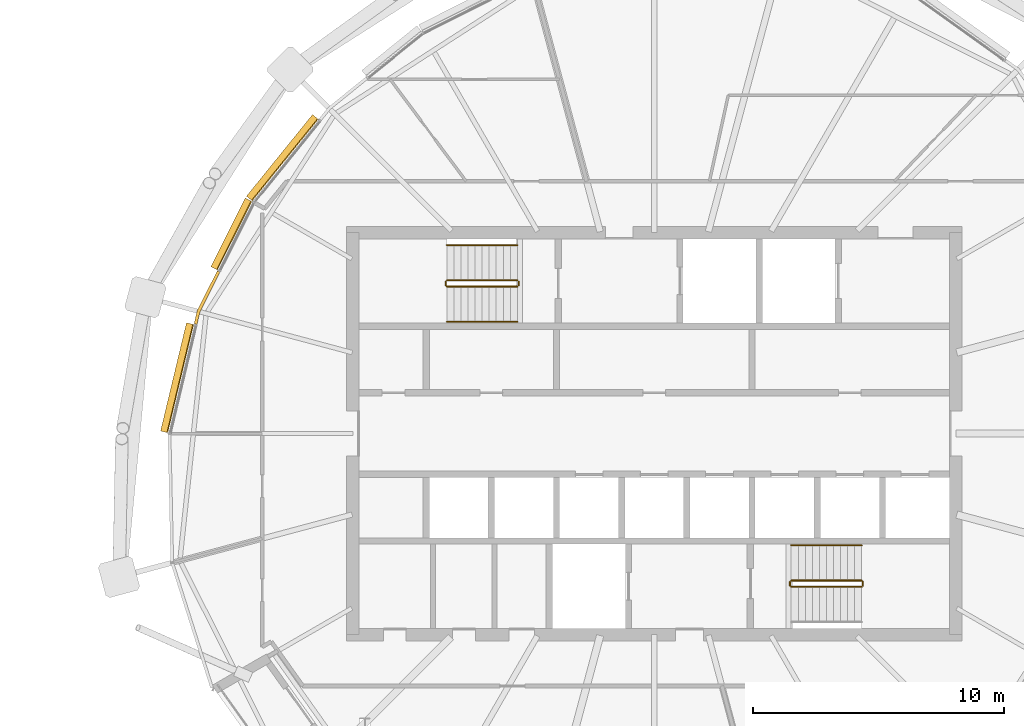
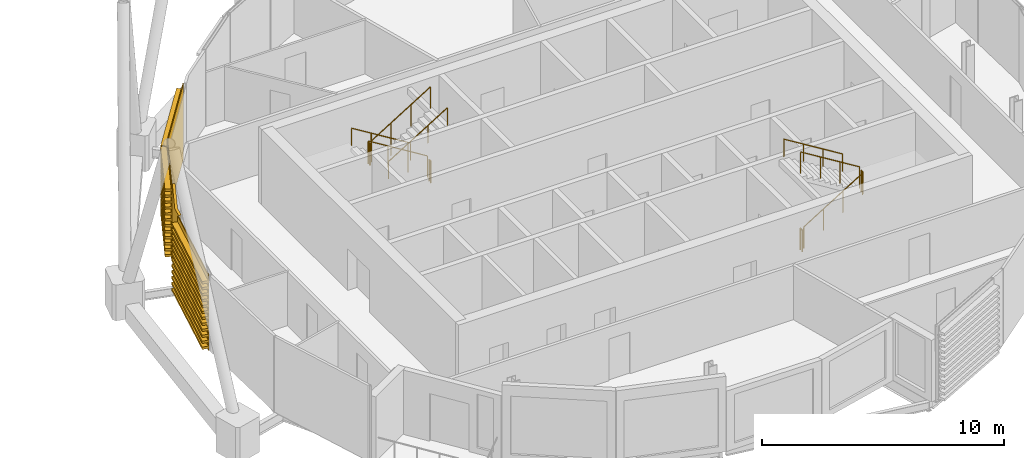
# One storey, part 31 of 32: 11 railings, 4 coverings.
"""IFC4 building model written with IfcOpenShell, lengths in metres."""

import ifcopenshell
import ifcopenshell.guid

model = None  # the IFC model being written
_history = None  # IfcOwnerHistory: only IFC2X3 demands one
_inside = {}  # id of a spatial element -> (the spatial element, [elements in it])
_under = {}  # id of a project, library or spatial element -> (it, [spatial elements below it])
_declared = {}  # id of a project -> (the project, [libraries it declares])
_typed = {}  # id of a type object -> (the type object, [elements of that type])
_made_of = {}  # id of a material, layer set ... -> (it, [elements and type objects made of it])


def new_model(schema):
    """Start an empty IFC model of exactly this schema.

    Asked for "IFC4X3", IfcOpenShell would pick the latest addendum, in which some entities
    have other attributes; the version numbers below select the first issue.
    IFC2X3 requires an IfcOwnerHistory on every rooted entity: one is made here for all.
    """
    global model, _history
    if schema == "IFC4X3":
        model = ifcopenshell.file(schema_version=(4, 3, 0, 0))
    else:
        model = ifcopenshell.file(schema=schema)
    _inside.clear()
    _under.clear()
    _declared.clear()
    _typed.clear()
    _made_of.clear()
    _history = None
    if model.schema == "IFC2X3":
        org = make("IfcOrganization", Name="unknown")
        user = make(
            "IfcPersonAndOrganization",
            ThePerson=make("IfcPerson", FamilyName="unknown"),
            TheOrganization=org,
        )
        app = make(
            "IfcApplication",
            ApplicationDeveloper=org,
            Version="unknown",
            ApplicationFullName="unknown",
            ApplicationIdentifier="unknown",
        )
        _history = make(
            "IfcOwnerHistory",
            OwningUser=user,
            OwningApplication=app,
            ChangeAction="ADDED",
            CreationDate=0,
        )
    return model


def make(cls, **values):
    """One entity of the class cls with the attributes given. An attribute that is None is left unset."""
    return model.create_entity(
        cls, **{name: value for name, value in values.items() if value is not None}
    )


def rooted(cls, **values):
    """An entity with a GlobalId (a new one), such as an element, a storey or a relation."""
    return make(cls, GlobalId=ifcopenshell.guid.new(), OwnerHistory=_history, **values)


def si_unit(unit_type, name, prefix=None):
    """IfcSIUnit, for example si_unit("LENGTHUNIT", "METRE", prefix="MILLI")."""
    return make("IfcSIUnit", UnitType=unit_type, Prefix=prefix, Name=name)


def assignment(units):
    """IfcUnitAssignment: the units of a project."""
    return None if units is None else make("IfcUnitAssignment", Units=units)


def point(xyz):
    """IfcCartesianPoint."""
    return None if xyz is None else make("IfcCartesianPoint", Coordinates=xyz)


def direction(xyz):
    """IfcDirection."""
    return None if xyz is None else make("IfcDirection", DirectionRatios=xyz)


def frame(location, z_axis=None, x_axis=None):
    """IfcAxis2Placement3D, a coordinate frame: its origin and axes. An axis left out is left unset."""
    return make(
        "IfcAxis2Placement3D",
        Location=point(location),
        Axis=direction(z_axis),
        RefDirection=direction(x_axis),
    )


def frame_2d(location, x_axis=None):
    """IfcAxis2Placement2D, a coordinate frame in the plane: its origin and x axis."""
    return make(
        "IfcAxis2Placement2D", Location=point(location), RefDirection=direction(x_axis)
    )


def origin():
    """The frame at (0, 0, 0) with its axes left unset."""
    return frame((0.0, 0.0, 0.0))


def origin_2d():
    """The frame at (0, 0) in the plane with its x axis left unset."""
    return frame_2d((0.0, 0.0))


def place(relative_to, where):
    """IfcLocalPlacement: puts the frame where relative to a parent placement (None: the world)."""
    return make(
        "IfcLocalPlacement", PlacementRelTo=relative_to, RelativePlacement=where
    )


def context(
    kind, dimensions, precision=None, world=None, true_north=None, identifier=None
):
    """IfcGeometricRepresentationContext, for example the 3D "Model" context."""
    return make(
        "IfcGeometricRepresentationContext",
        ContextIdentifier=identifier,
        ContextType=kind,
        CoordinateSpaceDimension=dimensions,
        Precision=precision,
        WorldCoordinateSystem=world,
        TrueNorth=true_north,
    )


def subcontext(parent, identifier, kind, view, scale=None):
    """IfcGeometricRepresentationSubContext, for example "Body" below "Model"."""
    return make(
        "IfcGeometricRepresentationSubContext",
        ContextIdentifier=identifier,
        ContextType=kind,
        ParentContext=parent,
        TargetScale=scale,
        TargetView=view,
    )


def project(units=None, contexts=None):
    """IfcProject with its units and contexts."""
    return rooted(
        "IfcProject",
        Name="project",
        RepresentationContexts=contexts,
        UnitsInContext=assignment(units),
    )


def spatial(cls, under=None, at=None, **own):
    """A site, building, storey or space (cls), placed at a placement, below another one or the project."""
    s = rooted(cls, ObjectPlacement=at, **own)
    if under is not None:
        _under.setdefault(under.id(), (under, []))[1].append(s)
    return s


def polyline(points):
    """IfcPolyline through the points."""
    return make("IfcPolyline", Points=[point(p) for p in points])


def profile(cls, at=None, kind="AREA", **sizes):
    """A parametric profile (cls). Its sizes go by their IFC names, for example OverallWidth=200.0."""
    return make(cls, ProfileType=kind, Position=at, **sizes)


def circle(**sizes):
    """IfcCircleProfileDef."""
    return profile("IfcCircleProfileDef", **sizes)


def outline(outer, holes=None, kind="AREA"):
    """IfcArbitraryClosedProfileDef: a profile drawn as a closed curve; with holes, ...WithVoids."""
    if holes is None:
        return make("IfcArbitraryClosedProfileDef", ProfileType=kind, OuterCurve=outer)
    return make(
        "IfcArbitraryProfileDefWithVoids",
        ProfileType=kind,
        OuterCurve=outer,
        InnerCurves=holes,
    )


def extrude(swept, where, along, depth):
    """IfcExtrudedAreaSolid: the profile swept, set in the frame where, extruded along a direction by depth."""
    return make(
        "IfcExtrudedAreaSolid",
        SweptArea=swept,
        Position=where,
        ExtrudedDirection=direction(along),
        Depth=depth,
    )


def shape(context_of_items, identifier, shape_type, items):
    """IfcShapeRepresentation: the items that make up one representation, for example the "Body"."""
    return make(
        "IfcShapeRepresentation",
        ContextOfItems=context_of_items,
        RepresentationIdentifier=identifier,
        RepresentationType=shape_type,
        Items=items,
    )


def material(Name=None, Category=None):
    """IfcMaterial."""
    return make("IfcMaterial", Name=Name, Category=Category)


def layer(
    of_material, thickness, ventilated=None, Name=None, Category=None, Priority=None
):
    """IfcMaterialLayer: one layer of a wall or slab, of a material (None: an air gap)."""
    return make(
        "IfcMaterialLayer",
        Material=of_material,
        LayerThickness=thickness,
        IsVentilated=ventilated,
        Name=Name,
        Category=Category,
        Priority=Priority,
    )


def layer_set(layers, Name=None):
    """IfcMaterialLayerSet."""
    return make("IfcMaterialLayerSet", MaterialLayers=layers, LayerSetName=Name)


def material_profile(
    of_material, cross_section, Name=None, Category=None, Priority=None
):
    """IfcMaterialProfile: a cross section and its material."""
    return make(
        "IfcMaterialProfile",
        Name=Name,
        Material=of_material,
        Profile=cross_section,
        Priority=Priority,
        Category=Category,
    )


def profile_set(profiles, Name=None, composite=None):
    """IfcMaterialProfileSet."""
    return make(
        "IfcMaterialProfileSet",
        Name=Name,
        MaterialProfiles=profiles,
        CompositeProfile=composite,
    )


def made_of(thing, what):
    """Note that an element or type object is made of a material, layer set ...; save() writes the relation."""
    if what is not None:
        _made_of.setdefault(what.id(), (what, []))[1].append(thing)
    return thing


def type_object(cls, material=None, **own):
    """A type object (cls), such as IfcWallType, which elements share."""
    return made_of(rooted(cls, **own), material)


def element(
    cls,
    number,
    at=None,
    inside=None,
    cuts=None,
    type_object=None,
    material=None,
    context=None,
    identifier="Body",
    shape_type=None,
    held_by="IfcProductDefinitionShape",
    body=None,
    shapes=None,
    **own,
):
    """One element of the class cls, such as IfcWall. Its Tag is "e" and its number.

    at: its placement. inside: the storey or other place that contains it. cuts: it is an
    opening in that element (IfcRelVoidsElement). A single representation is given by context,
    identifier, shape_type and body (its items); several are given by shapes. held_by: the class
    of the entity that holds the representations. save() writes the other relations.
    """
    e = rooted(cls, Tag="e%d" % number, ObjectPlacement=at, **own)
    if body is not None:
        shapes = [shape(context, identifier, shape_type, body)]
    if shapes is not None:
        e.Representation = make(held_by, Representations=shapes)
    if inside is not None:
        _inside.setdefault(inside.id(), (inside, []))[1].append(e)
    if cuts is not None:
        rooted(
            "IfcRelVoidsElement", RelatingBuildingElement=cuts, RelatedOpeningElement=e
        )
    if type_object is not None:
        _typed.setdefault(type_object.id(), (type_object, []))[1].append(e)
    return made_of(e, material)


def aggregate(whole, parts):
    """IfcRelAggregates: a whole, such as a stair, and the parts it consists of."""
    return rooted("IfcRelAggregates", RelatingObject=whole, RelatedObjects=parts)


def save(model, path):
    """Write the relations noted so far, then the file.

    IfcRelAggregates (storeys below a building ...), IfcRelContainedInSpatialStructure (elements
    in a storey), IfcRelDefinesByType, IfcRelAssociatesMaterial and IfcRelDeclares: one each for
    every whole, place, type object, material and project.
    """
    for whole, parts in _under.values():
        aggregate(whole, parts)
    for where, things in _inside.values():
        rooted(
            "IfcRelContainedInSpatialStructure",
            RelatedElements=things,
            RelatingStructure=where,
        )
    for kind, things in _typed.values():
        rooted("IfcRelDefinesByType", RelatedObjects=things, RelatingType=kind)
    for what, things in _made_of.values():
        rooted("IfcRelAssociatesMaterial", RelatedObjects=things, RelatingMaterial=what)
    for by, libraries in _declared.values():
        rooted("IfcRelDeclares", RelatingContext=by, RelatedDefinitions=libraries)
    model.write(path)


model = new_model("IFC4")

# Units and contexts
model_context = context("Model", 3, precision=1e-05, world=origin(), true_north=direction((0.0, 1.0)))
body_context = subcontext(model_context, "Body", "Model", "MODEL_VIEW")
ifc_project = project(units=[si_unit("LENGTHUNIT", "METRE"), si_unit("AREAUNIT", "SQUARE_METRE"), si_unit("VOLUMEUNIT", "CUBIC_METRE"), si_unit("PLANEANGLEUNIT", "RADIAN"), si_unit("MASSUNIT", "GRAM", prefix="KILO")], contexts=[model_context])

# Site, building, storey
site_placement = place(None, origin())
site = spatial("IfcSite", under=ifc_project, at=site_placement, CompositionType="ELEMENT")
building_placement = place(site_placement, origin())
building = spatial("IfcBuilding", under=site, at=building_placement, Name="Rimbun Link Towers", CompositionType="ELEMENT")
storey_placement = place(building_placement, frame((0.0, 0.0, 233.300048828125)))
storey = spatial("IfcBuildingStorey", under=building, at=storey_placement, Name="L57", CompositionType="ELEMENT", Elevation=233.300048828125)

# Covering
ifc_material_1 = material(Name="Terracotta", Category="masonry")
ifc_layer = layer(ifc_material_1, 0.1201171875)
ifc_layer_set = layer_set([ifc_layer], Name="LINK PIER terracotta cladding 120")
covering_type_1 = type_object("IfcCoveringType", Name="LINK PIER terracotta cladding 120", PredefinedType="CLADDING", material=ifc_layer_set)
covering_1_placement = place(storey_placement, origin())
element("IfcCovering", 1, at=covering_1_placement, inside=storey, type_object=covering_type_1, Name="LINK PIER cladding", PredefinedType="CLADDING", context=body_context, shape_type="SweptSolid", body=[
    extrude(outline(polyline([(13.54931640625, 4.338623046875), (13.67041015625, 4.844482421875), (14.464599609375, 6.42626953125), (14.357421875, 6.47998046875), (13.556884765625, 4.8857421875), (13.4326171875, 4.366455078125), (13.54931640625, 4.338623046875)])), origin(), (0.0, 0.0, 1.0), 3.800048828125),
])

# Railings
ifc_material_2 = material(Name="Stainless steel grade 316", Category="steel")
railing_type_1 = type_object("IfcRailingType", Name="Stair guard", PredefinedType="GUARDRAIL", material=ifc_material_2)
railing_1_placement = place(storey_placement, frame((26.300048828125, 6.10009765625, 0.172607421875)))
element("IfcRailing", 2, at=railing_1_placement, inside=storey, type_object=railing_type_1, Name="L57 ST3 stair guard 1", PredefinedType="GUARDRAIL", context=body_context, shape_type="SweptSolid", body=[
    extrude(circle(Radius=0.02392578125, at=origin_2d()), frame((0.0, 0.0, 1.076171875), z_axis=(-0.851089632645, 0.0, 0.525020415988), x_axis=(0.0, -1.0, 0.0)), (0.0, 0.0, 1.0), 3.2900390625),
    extrude(circle(Radius=0.02099609375, at=origin_2d()), origin(), (0.0, 0.0, 1.0), 1.052001953125),
    extrude(circle(Radius=0.02099609375, at=origin_2d()), frame((-0.933349609375, 0.0, 0.57568359375)), (0.0, 0.0, 1.0), 1.052001953125),
    extrude(circle(Radius=0.02099609375, at=origin_2d()), frame((-1.86669921875, 0.0, 1.151611328125)), (0.0, 0.0, 1.0), 1.052001953125),
    extrude(circle(Radius=0.02099609375, at=origin_2d()), frame((-2.800048828125, 0.0, 1.727294921875)), (0.0, 0.0, 1.0), 1.052001953125),
])
railing_2_placement = place(storey_placement, frame((23.449951171875, 6.050048828125, 1.89990234375)))
element("IfcRailing", 3, at=railing_2_placement, inside=storey, type_object=railing_type_1, Name="L57 ST3 stair guard 2", PredefinedType="GUARDRAIL", context=body_context, shape_type="SweptSolid", body=[
    extrude(circle(Radius=0.02392578125, at=origin_2d()), frame((0.0, 0.0, 1.076171875), z_axis=(0.0, -1.0, 0.0), x_axis=(1.0, 0.0, 0.0)), (0.0, 0.0, 1.0), 0.150146484375),
    extrude(circle(Radius=0.02099609375, at=origin_2d()), origin(), (0.0, 0.0, 1.0), 1.052001953125),
    extrude(circle(Radius=0.02099609375, at=origin_2d()), frame((0.0, -0.150146484375, 0.0)), (0.0, 0.0, 1.0), 1.052001953125),
])
railing_3_placement = place(storey_placement, frame((23.5, 5.85009765625, 2.07275390625)))
element("IfcRailing", 4, at=railing_3_placement, inside=storey, type_object=railing_type_1, Name="L57 ST3 stair guard 3", PredefinedType="GUARDRAIL", context=body_context, shape_type="SweptSolid", body=[
    extrude(circle(Radius=0.02392578125, at=origin_2d()), frame((0.0, 0.0, 1.076171875), z_axis=(0.851089632645, 0.0, 0.525020415988), x_axis=(0.0, 1.0, 0.0)), (0.0, 0.0, 1.0), 3.2900390625),
    extrude(circle(Radius=0.02099609375, at=origin_2d()), origin(), (0.0, 0.0, 1.0), 1.052001953125),
    extrude(circle(Radius=0.02099609375, at=origin_2d()), frame((0.933349609375, 0.0, 0.57568359375)), (0.0, 0.0, 1.0), 1.052001953125),
    extrude(circle(Radius=0.02099609375, at=origin_2d()), frame((1.86669921875, 0.0, 1.151611328125)), (0.0, 0.0, 1.0), 1.052001953125),
    extrude(circle(Radius=0.02099609375, at=origin_2d()), frame((2.800048828125, 0.0, 1.727294921875)), (0.0, 0.0, 1.0), 1.052001953125),
])
railing_4_placement = place(storey_placement, frame((26.35009765625, 6.050048828125, 0.0)))
element("IfcRailing", 5, at=railing_4_placement, inside=storey, type_object=railing_type_1, Name="L57 ST3 stair guard 4", PredefinedType="GUARDRAIL", context=body_context, shape_type="SweptSolid", body=[
    extrude(circle(Radius=0.02392578125, at=origin_2d()), frame((0.0, 0.0, 1.076171875), z_axis=(0.0, -1.0, 0.0), x_axis=(1.0, 0.0, 0.0)), (0.0, 0.0, 1.0), 0.150146484375),
    extrude(circle(Radius=0.02099609375, at=origin_2d()), origin(), (0.0, 0.0, 1.0), 1.052001953125),
    extrude(circle(Radius=0.02099609375, at=origin_2d()), frame((0.0, -0.150146484375, 0.0)), (0.0, 0.0, 1.0), 1.052001953125),
])
railing_5_placement = place(storey_placement, frame((37.199951171875, -6.10009765625, 0.172607421875)))
element("IfcRailing", 6, at=railing_5_placement, inside=storey, type_object=railing_type_1, Name="L57 ST4 stair guard 1", PredefinedType="GUARDRAIL", context=body_context, shape_type="SweptSolid", body=[
    extrude(circle(Radius=0.02392578125, at=origin_2d()), frame((0.0, 0.0, 1.076171875), z_axis=(0.851089632645, 0.0, 0.525020415988), x_axis=(0.0, 1.0, 0.0)), (0.0, 0.0, 1.0), 3.2900390625),
    extrude(circle(Radius=0.02099609375, at=origin_2d()), origin(), (0.0, 0.0, 1.0), 1.052001953125),
    extrude(circle(Radius=0.02099609375, at=origin_2d()), frame((0.933349609375, 0.0, 0.57568359375)), (0.0, 0.0, 1.0), 1.052001953125),
    extrude(circle(Radius=0.02099609375, at=origin_2d()), frame((1.86669921875, 0.0, 1.151611328125)), (0.0, 0.0, 1.0), 1.052001953125),
    extrude(circle(Radius=0.02099609375, at=origin_2d()), frame((2.800048828125, 0.0, 1.727294921875)), (0.0, 0.0, 1.0), 1.052001953125),
])
railing_6_placement = place(storey_placement, frame((40.050048828125, -6.050048828125, 1.89990234375)))
element("IfcRailing", 7, at=railing_6_placement, inside=storey, type_object=railing_type_1, Name="L57 ST4 stair guard 2", PredefinedType="GUARDRAIL", context=body_context, shape_type="SweptSolid", body=[
    extrude(circle(Radius=0.02392578125, at=origin_2d()), frame((0.0, 0.0, 1.076171875), z_axis=(0.0, 1.0, 0.0), x_axis=(-1.0, 0.0, 0.0)), (0.0, 0.0, 1.0), 0.150146484375),
    extrude(circle(Radius=0.02099609375, at=origin_2d()), origin(), (0.0, 0.0, 1.0), 1.052001953125),
    extrude(circle(Radius=0.02099609375, at=origin_2d()), frame((0.0, 0.150146484375, 0.0)), (0.0, 0.0, 1.0), 1.052001953125),
])
railing_7_placement = place(storey_placement, frame((40.0, -5.85009765625, 2.07275390625)))
element("IfcRailing", 8, at=railing_7_placement, inside=storey, type_object=railing_type_1, Name="L57 ST4 stair guard 3", PredefinedType="GUARDRAIL", context=body_context, shape_type="SweptSolid", body=[
    extrude(circle(Radius=0.02392578125, at=origin_2d()), frame((0.0, 0.0, 1.076171875), z_axis=(-0.851089632645, 0.0, 0.525020415988), x_axis=(0.0, -1.0, 0.0)), (0.0, 0.0, 1.0), 3.2900390625),
    extrude(circle(Radius=0.02099609375, at=origin_2d()), origin(), (0.0, 0.0, 1.0), 1.052001953125),
    extrude(circle(Radius=0.02099609375, at=origin_2d()), frame((-0.933349609375, 0.0, 0.57568359375)), (0.0, 0.0, 1.0), 1.052001953125),
    extrude(circle(Radius=0.02099609375, at=origin_2d()), frame((-1.86669921875, 0.0, 1.151611328125)), (0.0, 0.0, 1.0), 1.052001953125),
    extrude(circle(Radius=0.02099609375, at=origin_2d()), frame((-2.800048828125, 0.0, 1.727294921875)), (0.0, 0.0, 1.0), 1.052001953125),
])
railing_8_placement = place(storey_placement, frame((37.14990234375, -6.050048828125, 0.0)))
element("IfcRailing", 9, at=railing_8_placement, inside=storey, type_object=railing_type_1, Name="L57 ST4 stair guard 4", PredefinedType="GUARDRAIL", context=body_context, shape_type="SweptSolid", body=[
    extrude(circle(Radius=0.02392578125, at=origin_2d()), frame((0.0, 0.0, 1.076171875), z_axis=(0.0, 1.0, 0.0), x_axis=(-1.0, 0.0, 0.0)), (0.0, 0.0, 1.0), 0.150146484375),
    extrude(circle(Radius=0.02099609375, at=origin_2d()), origin(), (0.0, 0.0, 1.0), 1.052001953125),
    extrude(circle(Radius=0.02099609375, at=origin_2d()), frame((0.0, 0.150146484375, 0.0)), (0.0, 0.0, 1.0), 1.052001953125),
])
ifc_material_3 = material(Name="Stainless steel grade 316", Category="steel")
railing_type_2 = type_object("IfcRailingType", Name="Stair handrail", PredefinedType="HANDRAIL", material=ifc_material_3)
railing_9_placement = place(storey_placement, frame((26.300048828125, 7.5, 0.172607421875)))
element("IfcRailing", 10, at=railing_9_placement, inside=storey, type_object=railing_type_2, Name="L57 ST3 stair handrail 1", PredefinedType="HANDRAIL", context=body_context, shape_type="SweptSolid", body=[
    extrude(circle(Radius=0.02392578125, at=origin_2d()), frame((0.0, 0.0, 0.8759765625), z_axis=(-0.851089632645, 0.0, 0.525020415988), x_axis=(0.0, -1.0, 0.0)), (0.0, 0.0, 1.0), 3.2900390625),
    extrude(circle(Radius=0.02099609375, at=origin_2d()), origin(), (0.0, 0.0, 1.0), 0.851806640625),
    extrude(circle(Radius=0.02099609375, at=origin_2d()), frame((-0.933349609375, 0.0, 0.57568359375)), (0.0, 0.0, 1.0), 0.851806640625),
    extrude(circle(Radius=0.02099609375, at=origin_2d()), frame((-1.86669921875, 0.0, 1.151611328125)), (0.0, 0.0, 1.0), 0.851806640625),
    extrude(circle(Radius=0.02099609375, at=origin_2d()), frame((-2.800048828125, 0.0, 1.727294921875)), (0.0, 0.0, 1.0), 0.851806640625),
])
railing_10_placement = place(storey_placement, frame((23.5, 4.449951171875, 2.07275390625)))
element("IfcRailing", 11, at=railing_10_placement, inside=storey, type_object=railing_type_2, Name="L57 ST3 stair handrail 2", PredefinedType="HANDRAIL", context=body_context, shape_type="SweptSolid", body=[
    extrude(circle(Radius=0.02392578125, at=origin_2d()), frame((0.0, 0.0, 0.8759765625), z_axis=(0.851089632645, 0.0, 0.525020415988), x_axis=(0.0, 1.0, 0.0)), (0.0, 0.0, 1.0), 3.2900390625),
    extrude(circle(Radius=0.02099609375, at=origin_2d()), origin(), (0.0, 0.0, 1.0), 0.851806640625),
    extrude(circle(Radius=0.02099609375, at=origin_2d()), frame((0.933349609375, 0.0, 0.57568359375)), (0.0, 0.0, 1.0), 0.851806640625),
    extrude(circle(Radius=0.02099609375, at=origin_2d()), frame((1.86669921875, 0.0, 1.151611328125)), (0.0, 0.0, 1.0), 0.851806640625),
    extrude(circle(Radius=0.02099609375, at=origin_2d()), frame((2.800048828125, 0.0, 1.727294921875)), (0.0, 0.0, 1.0), 0.851806640625),
])
railing_11_placement = place(storey_placement, frame((40.0, -4.449951171875, 2.07275390625)))
element("IfcRailing", 12, at=railing_11_placement, inside=storey, type_object=railing_type_2, Name="L57 ST4 stair handrail 2", PredefinedType="HANDRAIL", context=body_context, shape_type="SweptSolid", body=[
    extrude(circle(Radius=0.02392578125, at=origin_2d()), frame((0.0, 0.0, 0.8759765625), z_axis=(-0.851089632645, 0.0, 0.525020415988), x_axis=(0.0, -1.0, 0.0)), (0.0, 0.0, 1.0), 3.2900390625),
    extrude(circle(Radius=0.02099609375, at=origin_2d()), origin(), (0.0, 0.0, 1.0), 0.851806640625),
    extrude(circle(Radius=0.02099609375, at=origin_2d()), frame((-0.933349609375, 0.0, 0.57568359375)), (0.0, 0.0, 1.0), 0.851806640625),
    extrude(circle(Radius=0.02099609375, at=origin_2d()), frame((-1.86669921875, 0.0, 1.151611328125)), (0.0, 0.0, 1.0), 0.851806640625),
    extrude(circle(Radius=0.02099609375, at=origin_2d()), frame((-2.800048828125, 0.0, 1.727294921875)), (0.0, 0.0, 1.0), 0.851806640625),
])

# Coverings
ifc_material_4 = material(Name="Terracotta", Category="masonry")
ifc_material_profile = material_profile(ifc_material_4, outline(polyline([(0.123046875, 0.0), (0.1630859375, 0.0), (0.1630859375, 0.10009765625), (0.423095703125, 0.10009765625), (0.423095703125, 0.219970703125), (0.1630859375, 0.219970703125), (0.1630859375, 0.39990234375), (0.423095703125, 0.39990234375), (0.423095703125, 0.52001953125), (0.1630859375, 0.52001953125), (0.1630859375, 0.699951171875), (0.423095703125, 0.699951171875), (0.423095703125, 0.820068359375), (0.1630859375, 0.820068359375), (0.1630859375, 1.0), (0.423095703125, 1.0), (0.423095703125, 1.1201171875), (0.1630859375, 1.1201171875), (0.1630859375, 1.300048828125), (0.423095703125, 1.300048828125), (0.423095703125, 1.419921875), (0.1630859375, 1.419921875), (0.1630859375, 1.60009765625), (0.423095703125, 1.60009765625), (0.423095703125, 1.719970703125), (0.1630859375, 1.719970703125), (0.1630859375, 1.89990234375), (0.423095703125, 1.89990234375), (0.423095703125, 2.02001953125), (0.1630859375, 2.02001953125), (0.1630859375, 2.199951171875), (0.423095703125, 2.199951171875), (0.423095703125, 2.320068359375), (0.1630859375, 2.320068359375), (0.1630859375, 2.5), (0.423095703125, 2.5), (0.423095703125, 2.6201171875), (0.1630859375, 2.6201171875), (0.1630859375, 2.800048828125), (0.423095703125, 2.800048828125), (0.423095703125, 2.919921875), (0.1630859375, 2.919921875), (0.1630859375, 3.10009765625), (0.423095703125, 3.10009765625), (0.423095703125, 3.219970703125), (0.1630859375, 3.219970703125), (0.1630859375, 3.39990234375), (0.423095703125, 3.39990234375), (0.423095703125, 3.52001953125), (0.1630859375, 3.52001953125), (0.1630859375, 3.800048828125), (0.123046875, 3.800048828125), (0.123046875, 0.0)])), Name="BAGUETTE 120X300")
ifc_profile_set = profile_set([ifc_material_profile], Name="Terracotta")
covering_type_2 = type_object("IfcCoveringType", Name="TERRACOTTA BAGUETTE 120X300 H3800", PredefinedType="CLADDING", material=ifc_profile_set)
covering_2_placement = place(storey_placement, frame((15.84814453125, 9.180908203125, 0.0), z_axis=(0.629130996415, 0.777299292004, 0.0), x_axis=(-0.777299292004, 0.629130996415, 0.0)))
element("IfcCovering", 13, at=covering_2_placement, inside=storey, type_object=covering_type_2, Name="TERRACOTTA BAGUETTE", PredefinedType="CLADDING", context=body_context, shape_type="SweptSolid", body=[
    extrude(outline(polyline([(0.123046875, 0.0), (0.1630859375, 0.0), (0.1630859375, 0.10009765625), (0.423095703125, 0.10009765625), (0.423095703125, 0.219970703125), (0.1630859375, 0.219970703125), (0.1630859375, 0.39990234375), (0.423095703125, 0.39990234375), (0.423095703125, 0.52001953125), (0.1630859375, 0.52001953125), (0.1630859375, 0.699951171875), (0.423095703125, 0.699951171875), (0.423095703125, 0.820068359375), (0.1630859375, 0.820068359375), (0.1630859375, 1.0), (0.423095703125, 1.0), (0.423095703125, 1.1201171875), (0.1630859375, 1.1201171875), (0.1630859375, 1.300048828125), (0.423095703125, 1.300048828125), (0.423095703125, 1.419921875), (0.1630859375, 1.419921875), (0.1630859375, 1.60009765625), (0.423095703125, 1.60009765625), (0.423095703125, 1.719970703125), (0.1630859375, 1.719970703125), (0.1630859375, 1.89990234375), (0.423095703125, 1.89990234375), (0.423095703125, 2.02001953125), (0.1630859375, 2.02001953125), (0.1630859375, 2.199951171875), (0.423095703125, 2.199951171875), (0.423095703125, 2.320068359375), (0.1630859375, 2.320068359375), (0.1630859375, 2.5), (0.423095703125, 2.5), (0.423095703125, 2.6201171875), (0.1630859375, 2.6201171875), (0.1630859375, 2.800048828125), (0.423095703125, 2.800048828125), (0.423095703125, 2.919921875), (0.1630859375, 2.919921875), (0.1630859375, 3.10009765625), (0.423095703125, 3.10009765625), (0.423095703125, 3.219970703125), (0.1630859375, 3.219970703125), (0.1630859375, 3.39990234375), (0.423095703125, 3.39990234375), (0.423095703125, 3.52001953125), (0.1630859375, 3.52001953125), (0.1630859375, 3.800048828125), (0.123046875, 3.800048828125), (0.123046875, 0.0)])), origin(), (0.0, 0.0, 1.0), 4.1787109375),
])
covering_3_placement = place(storey_placement, frame((14.47802734375, 6.452880859375, 0.0), z_axis=(0.448812354249, 0.893626023946, 0.0), x_axis=(-0.893626023946, 0.448812354249, 0.0)))
element("IfcCovering", 14, at=covering_3_placement, inside=storey, type_object=covering_type_2, Name="TERRACOTTA BAGUETTE", PredefinedType="CLADDING", context=body_context, shape_type="SweptSolid", body=[
    extrude(outline(polyline([(0.123046875, 0.0), (0.1630859375, 0.0), (0.1630859375, 0.10009765625), (0.423095703125, 0.10009765625), (0.423095703125, 0.219970703125), (0.1630859375, 0.219970703125), (0.1630859375, 0.39990234375), (0.423095703125, 0.39990234375), (0.423095703125, 0.52001953125), (0.1630859375, 0.52001953125), (0.1630859375, 0.699951171875), (0.423095703125, 0.699951171875), (0.423095703125, 0.820068359375), (0.1630859375, 0.820068359375), (0.1630859375, 1.0), (0.423095703125, 1.0), (0.423095703125, 1.1201171875), (0.1630859375, 1.1201171875), (0.1630859375, 1.300048828125), (0.423095703125, 1.300048828125), (0.423095703125, 1.419921875), (0.1630859375, 1.419921875), (0.1630859375, 1.60009765625), (0.423095703125, 1.60009765625), (0.423095703125, 1.719970703125), (0.1630859375, 1.719970703125), (0.1630859375, 1.89990234375), (0.423095703125, 1.89990234375), (0.423095703125, 2.02001953125), (0.1630859375, 2.02001953125), (0.1630859375, 2.199951171875), (0.423095703125, 2.199951171875), (0.423095703125, 2.320068359375), (0.1630859375, 2.320068359375), (0.1630859375, 2.5), (0.423095703125, 2.5), (0.423095703125, 2.6201171875), (0.1630859375, 2.6201171875), (0.1630859375, 2.800048828125), (0.423095703125, 2.800048828125), (0.423095703125, 2.919921875), (0.1630859375, 2.919921875), (0.1630859375, 3.10009765625), (0.423095703125, 3.10009765625), (0.423095703125, 3.219970703125), (0.1630859375, 3.219970703125), (0.1630859375, 3.39990234375), (0.423095703125, 3.39990234375), (0.423095703125, 3.52001953125), (0.1630859375, 3.52001953125), (0.1630859375, 3.800048828125), (0.123046875, 3.800048828125), (0.123046875, 0.0)])), origin(), (0.0, 0.0, 1.0), 3.052734375),
])
covering_4_placement = place(storey_placement, frame((12.51171875, 0.0, 0.0), z_axis=(0.232618531719, 0.972568053506, 0.0), x_axis=(-0.972568053506, 0.232618531719, 0.0)))
element("IfcCovering", 15, at=covering_4_placement, inside=storey, type_object=covering_type_2, Name="TERRACOTTA BAGUETTE", PredefinedType="CLADDING", context=body_context, shape_type="SweptSolid", body=[
    extrude(outline(polyline([(0.123046875, 0.0), (0.1630859375, 0.0), (0.1630859375, 0.10009765625), (0.423095703125, 0.10009765625), (0.423095703125, 0.219970703125), (0.1630859375, 0.219970703125), (0.1630859375, 0.39990234375), (0.423095703125, 0.39990234375), (0.423095703125, 0.52001953125), (0.1630859375, 0.52001953125), (0.1630859375, 0.699951171875), (0.423095703125, 0.699951171875), (0.423095703125, 0.820068359375), (0.1630859375, 0.820068359375), (0.1630859375, 1.0), (0.423095703125, 1.0), (0.423095703125, 1.1201171875), (0.1630859375, 1.1201171875), (0.1630859375, 1.300048828125), (0.423095703125, 1.300048828125), (0.423095703125, 1.419921875), (0.1630859375, 1.419921875), (0.1630859375, 1.60009765625), (0.423095703125, 1.60009765625), (0.423095703125, 1.719970703125), (0.1630859375, 1.719970703125), (0.1630859375, 1.89990234375), (0.423095703125, 1.89990234375), (0.423095703125, 2.02001953125), (0.1630859375, 2.02001953125), (0.1630859375, 2.199951171875), (0.423095703125, 2.199951171875), (0.423095703125, 2.320068359375), (0.1630859375, 2.320068359375), (0.1630859375, 2.5), (0.423095703125, 2.5), (0.423095703125, 2.6201171875), (0.1630859375, 2.6201171875), (0.1630859375, 2.800048828125), (0.423095703125, 2.800048828125), (0.423095703125, 2.919921875), (0.1630859375, 2.919921875), (0.1630859375, 3.10009765625), (0.423095703125, 3.10009765625), (0.423095703125, 3.219970703125), (0.1630859375, 3.219970703125), (0.1630859375, 3.39990234375), (0.423095703125, 3.39990234375), (0.423095703125, 3.52001953125), (0.1630859375, 3.52001953125), (0.1630859375, 3.800048828125), (0.123046875, 3.800048828125), (0.123046875, 0.0)])), origin(), (0.0, 0.0, 1.0), 4.43115234375),
])

save(model, "model.ifc")
